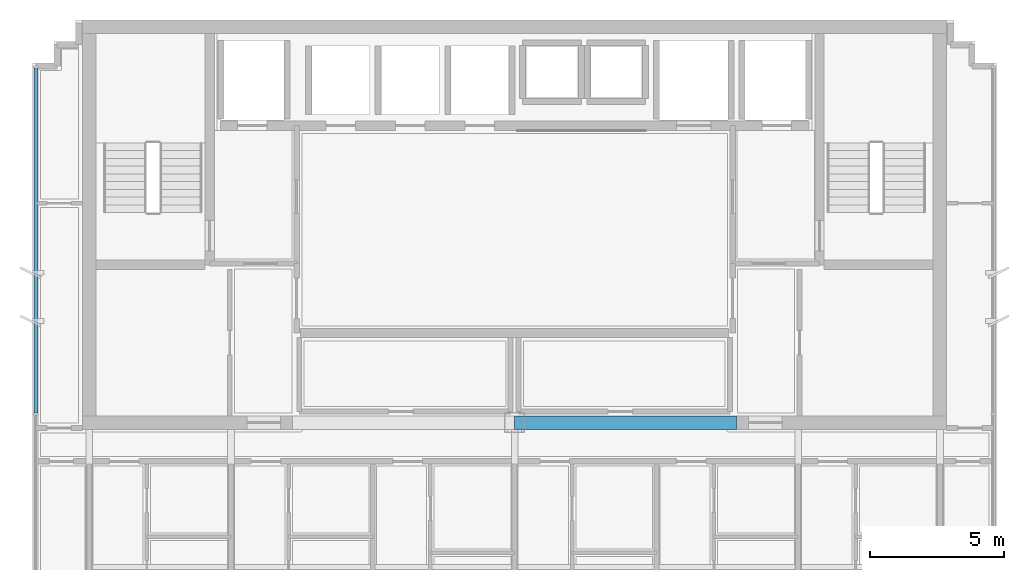
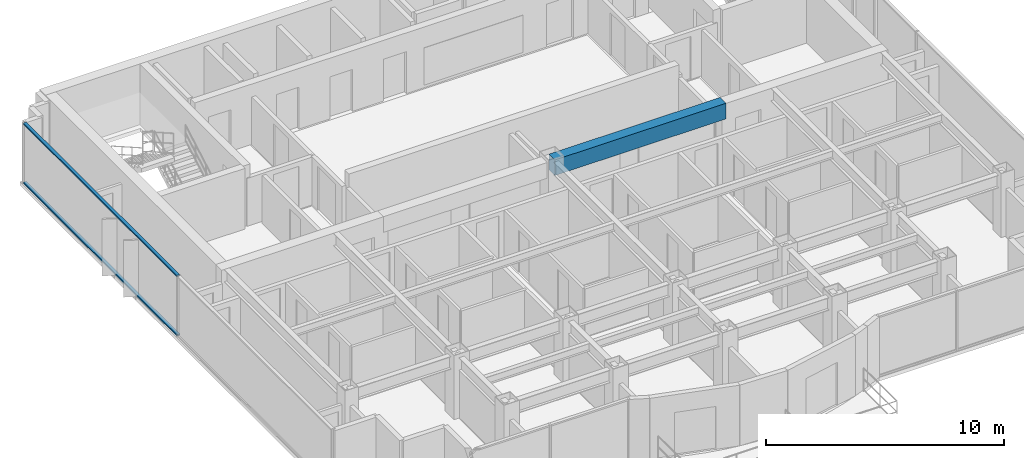
# One storey, part 2 of 10: 2 members, 1 beam, 1 element without a shape of its own.
"""IFC4 building model written with IfcOpenShell, lengths in metres."""

from ifc_helpers import new_model, si_unit, direction, frame, origin, origin_2d, place, context, subcontext, project, spatial, rectangle, extrude, source, transform, mapped, material, layer, layer_set, material_profile, profile_set, type_object, element, aggregate, save


model = new_model("IFC4")

# Units and contexts
model_context = context("Model", 3, precision=1e-05, world=origin(), true_north=direction((0.0, 1.0)))
body_context = subcontext(model_context, "Body", "Model", "MODEL_VIEW")
ifc_project = project(units=[si_unit("LENGTHUNIT", "METRE"), si_unit("AREAUNIT", "SQUARE_METRE"), si_unit("VOLUMEUNIT", "CUBIC_METRE"), si_unit("PLANEANGLEUNIT", "RADIAN"), si_unit("MASSUNIT", "GRAM", prefix="KILO")], contexts=[model_context])

# Site, building, storey
site_placement = place(None, origin())
site = spatial("IfcSite", under=ifc_project, at=site_placement, CompositionType="ELEMENT")
building_placement = place(site_placement, origin())
building = spatial("IfcBuilding", under=site, at=building_placement, Name="Qianlan Lanfeng Residences", CompositionType="ELEMENT")
storey_placement = place(building_placement, frame((0.0, 0.0, 236.300048828125)))
storey = spatial("IfcBuildingStorey", under=building, at=storey_placement, Name="L65", CompositionType="ELEMENT", Elevation=236.300048828125)

# Beam
ifc_material_1 = material(Name="Concrete C49", Category="concrete")
ifc_material_profile_1 = material_profile(ifc_material_1, rectangle(XDim=0.5, YDim=0.800048828125, at=origin_2d()), Name="RC 500x800")
ifc_profile_set_1 = profile_set([ifc_material_profile_1], Name="Concrete C49")
beam_type = type_object("IfcBeamType", Name="LB-RC750", PredefinedType="BEAM", material=ifc_profile_set_1)
beam_placement = place(storey_placement, frame((26.5, 25.199951171875, 2.7099609375), z_axis=(1.0, 0.0, 0.0), x_axis=(0.0, 1.0, 0.0)))
element("IfcBeam", 1, at=beam_placement, inside=storey, type_object=beam_type, Name="L65 Core Coupling Beam E", PredefinedType="BEAM", context=body_context, shape_type="SweptSolid", body=[
    extrude(rectangle(XDim=0.5, YDim=0.800048828125, at=origin_2d()), origin(), (0.0, 0.0, 1.0), 8.300048828125),
])

# Curtain wall, members
ifc_material_2 = material(Name="Anodised Bronze Aluminium 6063-T6", Category="aluminium")
ifc_layer = layer(ifc_material_2, 0.219970703125)
ifc_layer_set = layer_set([ifc_layer], Name="Anodised Bronze Aluminium 6063-T6")
curtain_wall_type = type_object("IfcCurtainWallType", Name="CW-06", PredefinedType="NOTDEFINED", material=ifc_layer_set)
curtain_wall_placement = place(storey_placement, origin())
curtain_wall = element("IfcCurtainWall", 2, at=curtain_wall_placement, inside=storey, type_object=curtain_wall_type, Name="L65 Unitised Curtain Wall CWR-L65-04 (CW-06)", PredefinedType="NOTDEFINED")
ifc_material_profile_2 = material_profile(ifc_material_2, rectangle(XDim=0.074951171875, YDim=0.14990234375, at=origin_2d()), Name="ALU TRANSOM 75x150")
ifc_profile_set_2 = profile_set([ifc_material_profile_2], Name="Anodised Bronze Aluminium 6063-T6")
member_type = type_object("IfcMemberType", Name="CWT-150", PredefinedType="USERDEFINED", material=ifc_profile_set_2)
shared_shape = source(origin(), body_context, "Body", "SweptSolid", [
    extrude(rectangle(XDim=0.074951171875, YDim=0.14990234375, at=origin_2d()), origin(), (0.0, 0.0, 1.0), 12.892578125),
])
member_1_placement = place(storey_placement, frame((8.60009765625, 38.455078125, 0.037353515625), z_axis=(0.0, -1.0, 0.0), x_axis=(0.0, 0.0, 1.0)))
member_1 = element("IfcMember", 3, at=member_1_placement, type_object=member_type, Name="CWR-L65-04 Transom 1-BOT", ObjectType="TRANSOM", PredefinedType="USERDEFINED", context=body_context, shape_type="MappedRepresentation", body=[
    mapped(shared_shape, transform((0.0, 0.0, 0.0), scale=1.0)),
])
member_2_placement = place(storey_placement, frame((8.60009765625, 38.455078125, 3.072509765625), z_axis=(0.0, -1.0, 0.0), x_axis=(0.0, 0.0, 1.0)))
member_2 = element("IfcMember", 4, at=member_2_placement, type_object=member_type, Name="CWR-L65-04 Transom 1-TOP", ObjectType="TRANSOM", PredefinedType="USERDEFINED", context=body_context, shape_type="MappedRepresentation", body=[
    mapped(shared_shape, transform((0.0, 0.0, 0.0), scale=1.0)),
])
aggregate(curtain_wall, [member_1, member_2])

save(model, "model.ifc")
